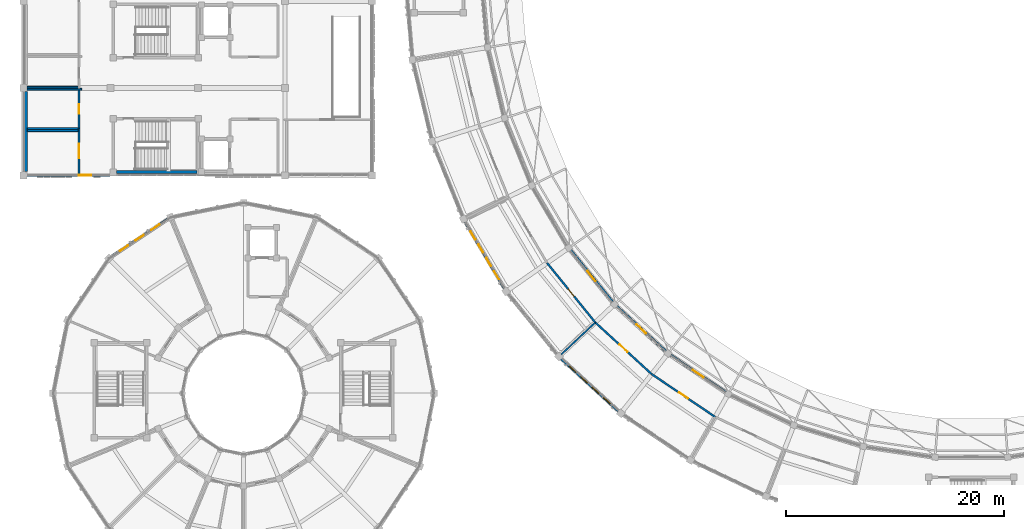
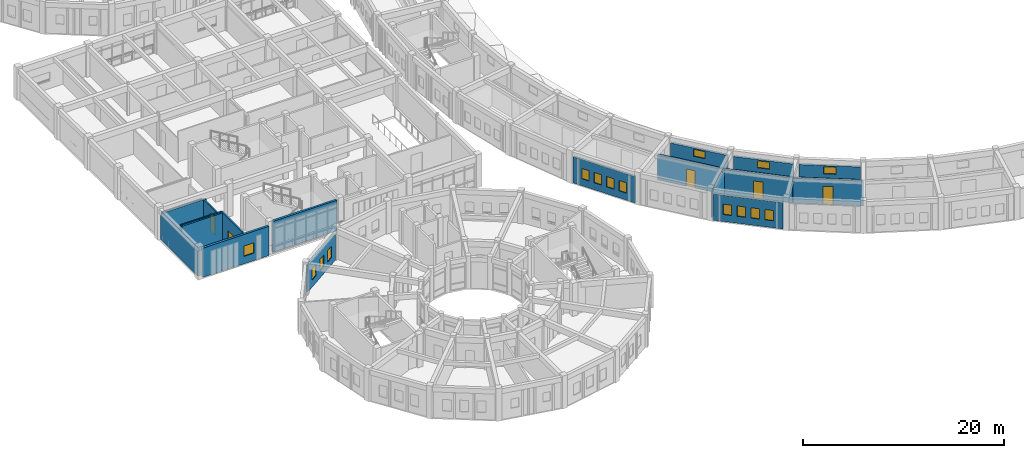
# One storey, part 76 of 112: 19 walls, 15 windows, 5 doors, 20 openings.
"""IFC4 building model written with IfcOpenShell, lengths in metres."""

from ifc_helpers import new_model, si_unit, direction, frame, frame_2d, origin, place, context, subcontext, project, spatial, rectangle, extrude, material, layer, layer_set, type_object, element, fill, save


model = new_model("IFC4")

# Units and contexts
model_context = context("Model", 3, precision=1e-05, world=origin(), true_north=direction((0.0, 1.0)))
body_context = subcontext(model_context, "Body", "Model", "MODEL_VIEW")
ifc_project = project(units=[si_unit("LENGTHUNIT", "METRE"), si_unit("AREAUNIT", "SQUARE_METRE"), si_unit("VOLUMEUNIT", "CUBIC_METRE"), si_unit("PLANEANGLEUNIT", "RADIAN"), si_unit("MASSUNIT", "GRAM", prefix="KILO")], contexts=[model_context])

# Site, building, storey
site_placement = place(None, origin())
site = spatial("IfcSite", under=ifc_project, at=site_placement, CompositionType="ELEMENT")
building_placement = place(site_placement, origin())
building = spatial("IfcBuilding", under=site, at=building_placement, Name="Celadon Cloister-Ring School", CompositionType="ELEMENT")
storey_placement = place(building_placement, frame((0.0, 0.0, 8.5)))
storey = spatial("IfcBuildingStorey", under=building, at=storey_placement, Name="L02", CompositionType="ELEMENT", Elevation=8.5)

# Wall, opening, window
ifc_material_1 = material(Name="Rendered concrete blockwork", Category="masonry")
ifc_layer_1 = layer(ifc_material_1, 0.260009765625)
ifc_layer_set_1 = layer_set([ifc_layer_1], Name="Rendered concrete blockwork")
wall_type_1 = type_object("IfcWallType", Name="WT-EX2", PredefinedType="SOLIDWALL", material=ifc_layer_set_1)
wall_1_placement = place(storey_placement, frame((7.947998046875, 40.0, 0.0), z_axis=(0.0, 0.0, 1.0), x_axis=(-1.0, 0.0, 0.0)))
wall_1 = element("IfcWall", 1, at=wall_1_placement, inside=storey, type_object=wall_type_1, Name="Exterior Wall 0523", PredefinedType="SOLIDWALL", context=body_context, shape_type="SweptSolid", body=[
    extrude(rectangle(XDim=7.62109375, YDim=0.260009765625, at=frame_2d((3.810546875, 0.0))), origin(), (0.0, 0.0, 1.0), 3.550048828125),
])
opening_1_placement = place(wall_1_placement, frame((1.7109375, 0.0, 0.89990234375)))
opening_1 = element("IfcOpeningElement", 2, at=opening_1_placement, cuts=wall_1, Name="Opening WN-13", PredefinedType="OPENING", context=body_context, shape_type="SweptSolid", body=[
    extrude(rectangle(XDim=1.14990234375, YDim=1.25, at=frame_2d((0.574951171875, 0.625))), frame((0.0, 0.14013671875, 0.0), z_axis=(0.0, -1.0, 0.0), x_axis=(1.0, 0.0, 0.0)), (0.0, 0.0, 1.0), 0.280029296875),
])
ifc_material_2 = material(Name="Tempered laminated insulating glass", Category="glass")
window_type_1 = type_object("IfcWindowType", Name="WN-13", PartitioningType="SINGLE_PANEL", PredefinedType="WINDOW", material=ifc_material_2)
window_1_placement = place(opening_1_placement, origin())
window_1 = element("IfcWindow", 3, at=window_1_placement, inside=storey, type_object=window_type_1, Name="Window 1005", OverallHeight=1.25, OverallWidth=1.14990234375, PartitioningType="SINGLE_PANEL", PredefinedType="WINDOW", context=body_context, shape_type="SweptSolid", body=[
    extrude(rectangle(XDim=1.14990234375, YDim=1.25, at=frame_2d((0.574951171875, 0.625))), frame((0.0, 0.030029296875, 0.0), z_axis=(0.0, -1.0, 0.0), x_axis=(1.0, 0.0, 0.0)), (0.0, 0.0, 1.0), 0.06005859375),
])
fill(opening_1, window_1)

ifc_material_3 = material(Name="Rendered concrete blockwork", Category="masonry")
ifc_layer_2 = layer(ifc_material_3, 0.239990234375)
ifc_layer_set_2 = layer_set([ifc_layer_2], Name="Rendered concrete blockwork")
wall_type_2 = type_object("IfcWallType", Name="WT-EX3", PredefinedType="SOLIDWALL", material=ifc_layer_set_2)
wall_2_placement = place(storey_placement, frame((50.218017578125, 33.110107421875, 0.0), z_axis=(0.0, 0.0, 1.0), x_axis=(0.629724854667, -0.776818258935, 0.0)))
wall_2 = element("IfcWall", 4, at=wall_2_placement, inside=storey, type_object=wall_type_2, Name="Exterior Wall 0125", PredefinedType="SOLIDWALL", context=body_context, shape_type="SweptSolid", body=[
    extrude(rectangle(XDim=6.093017578125, YDim=0.239990234375, at=frame_2d((3.04638671875, 0.0))), origin(), (0.0, 0.0, 1.0), 3.050048828125),
])
opening_2_placement = place(wall_2_placement, frame((2.446044921875, 0.0, 2.050048828125)))
opening_2 = element("IfcOpeningElement", 5, at=opening_2_placement, cuts=wall_2, Name="Opening WN-49", PredefinedType="OPENING", context=body_context, shape_type="SweptSolid", body=[
    extrude(rectangle(XDim=1.199951171875, YDim=0.85009765625, at=frame_2d((0.60009765625, 0.425048828125))), frame((0.0, 0.1298828125, 0.0), z_axis=(0.0, -1.0, 0.0), x_axis=(1.0, 0.0, 0.0)), (0.0, 0.0, 1.0), 0.260009765625),
])
ifc_material_4 = material(Name="Tempered laminated insulating glass", Category="glass")
window_type_2 = type_object("IfcWindowType", Name="WN-49", PartitioningType="SINGLE_PANEL", PredefinedType="WINDOW", material=ifc_material_4)
window_2_placement = place(opening_2_placement, origin())
window_2 = element("IfcWindow", 6, at=window_2_placement, inside=storey, type_object=window_type_2, Name="Window 0330", OverallHeight=0.85009765625, OverallWidth=1.199951171875, PartitioningType="SINGLE_PANEL", PredefinedType="WINDOW", context=body_context, shape_type="SweptSolid", body=[
    extrude(rectangle(XDim=1.199951171875, YDim=0.85009765625, at=frame_2d((0.60009765625, 0.425048828125))), frame((0.0, 0.030029296875, 0.0), z_axis=(0.0, -1.0, 0.0), x_axis=(1.0, 0.0, 0.0)), (0.0, 0.0, 1.0), 0.06005859375),
])
fill(opening_2, window_2)

wall_3_placement = place(storey_placement, frame((54.446044921875, 27.9599609375, 0.0), z_axis=(0.0, 0.0, 1.0), x_axis=(0.737667839015, -0.675163801816, 0.0)))
wall_3 = element("IfcWall", 7, at=wall_3_placement, inside=storey, type_object=wall_type_2, Name="Exterior Wall 0127", PredefinedType="SOLIDWALL", context=body_context, shape_type="SweptSolid", body=[
    extrude(rectangle(XDim=6.09326171875, YDim=0.239990234375, at=frame_2d((3.046630859375, 0.0))), origin(), (0.0, 0.0, 1.0), 3.050048828125),
])
opening_3_placement = place(wall_3_placement, frame((2.447021484375, 0.0, 2.050048828125)))
opening_3 = element("IfcOpeningElement", 8, at=opening_3_placement, cuts=wall_3, Name="Opening WN-49", PredefinedType="OPENING", context=body_context, shape_type="SweptSolid", body=[
    extrude(rectangle(XDim=1.199951171875, YDim=0.85009765625, at=frame_2d((0.60009765625, 0.425048828125))), frame((0.0, 0.1298828125, 0.0), z_axis=(0.0, -1.0, 0.0), x_axis=(1.0, 0.0, 0.0)), (0.0, 0.0, 1.0), 0.260009765625),
])
window_3_placement = place(opening_3_placement, origin())
window_3 = element("IfcWindow", 9, at=window_3_placement, inside=storey, type_object=window_type_2, Name="Window 0335", OverallHeight=0.85009765625, OverallWidth=1.199951171875, PartitioningType="SINGLE_PANEL", PredefinedType="WINDOW", context=body_context, shape_type="SweptSolid", body=[
    extrude(rectangle(XDim=1.199951171875, YDim=0.85009765625, at=frame_2d((0.60009765625, 0.425048828125))), frame((0.0, 0.030029296875, 0.0), z_axis=(0.0, -1.0, 0.0), x_axis=(1.0, 0.0, 0.0)), (0.0, 0.0, 1.0), 0.06005859375),
])
fill(opening_3, window_3)

wall_4_placement = place(storey_placement, frame((59.389892578125, 23.491943359375, 0.0), z_axis=(0.0, 0.0, 1.0), x_axis=(0.829160241858, -0.559010995707, 0.0)))
wall_4 = element("IfcWall", 10, at=wall_4_placement, inside=storey, type_object=wall_type_2, Name="Exterior Wall 0129", PredefinedType="SOLIDWALL", context=body_context, shape_type="SweptSolid", body=[
    extrude(rectangle(XDim=6.093017578125, YDim=0.239990234375, at=frame_2d((3.04638671875, 0.0))), origin(), (0.0, 0.0, 1.0), 3.050048828125),
])
opening_4_placement = place(wall_4_placement, frame((2.446044921875, 0.0, 2.050048828125)))
opening_4 = element("IfcOpeningElement", 11, at=opening_4_placement, cuts=wall_4, Name="Opening WN-49", PredefinedType="OPENING", context=body_context, shape_type="SweptSolid", body=[
    extrude(rectangle(XDim=1.199951171875, YDim=0.85009765625, at=frame_2d((0.60009765625, 0.425048828125))), frame((0.0, 0.1298828125, 0.0), z_axis=(0.0, -1.0, 0.0), x_axis=(1.0, 0.0, 0.0)), (0.0, 0.0, 1.0), 0.260009765625),
])
window_4_placement = place(opening_4_placement, origin())
window_4 = element("IfcWindow", 12, at=window_4_placement, inside=storey, type_object=window_type_2, Name="Window 0340", OverallHeight=0.85009765625, OverallWidth=1.199951171875, PartitioningType="SINGLE_PANEL", PredefinedType="WINDOW", context=body_context, shape_type="SweptSolid", body=[
    extrude(rectangle(XDim=1.199951171875, YDim=0.85009765625, at=frame_2d((0.60009765625, 0.425048828125))), frame((0.0, 0.030029296875, 0.0), z_axis=(0.0, -1.0, 0.0), x_axis=(1.0, 0.0, 0.0)), (0.0, 0.0, 1.0), 0.06005859375),
])
fill(opening_4, window_4)

# Wall, openings, windows
ifc_material_5 = material(Name="Perforated terracotta clay brick masonry", Category="masonry")
ifc_layer_3 = layer(ifc_material_5, 0.219970703125)
ifc_layer_set_3 = layer_set([ifc_layer_3], Name="Perforated terracotta clay brick masonry")
wall_type_3 = type_object("IfcWallType", Name="WT-EX4", PredefinedType="SOLIDWALL", material=ifc_layer_set_3)
wall_5_placement = place(storey_placement, frame((44.1298828125, 29.60888671875, 0.0), z_axis=(0.0, 0.0, 1.0), x_axis=(-0.507925334326, 0.861401099808, 0.0)))
wall_5 = element("IfcWall", 13, at=wall_5_placement, inside=storey, type_object=wall_type_3, Name="Exterior Wall 0122", PredefinedType="SOLIDWALL", context=body_context, shape_type="SweptSolid", body=[
    extrude(rectangle(XDim=7.08154296875, YDim=0.219970703125, at=frame_2d((3.540771484375, 0.0))), origin(), (0.0, 0.0, 1.0), 3.19189453125),
])
opening_5_placement = place(wall_5_placement, frame((0.990966796875, 0.0, 0.85009765625)))
opening_5 = element("IfcOpeningElement", 14, at=opening_5_placement, cuts=wall_5, Name="Opening WN-11", PredefinedType="OPENING", context=body_context, shape_type="SweptSolid", body=[
    extrude(rectangle(XDim=0.85009765625, YDim=1.25, at=frame_2d((0.425048828125, 0.625))), frame((0.0, 0.1201171875, 0.0), z_axis=(0.0, -1.0, 0.0), x_axis=(1.0, 0.0, 0.0)), (0.0, 0.0, 1.0), 0.239990234375),
])
opening_6_placement = place(wall_5_placement, frame((2.407958984375, 0.0, 0.85009765625)))
opening_6 = element("IfcOpeningElement", 15, at=opening_6_placement, cuts=wall_5, Name="Opening WN-11", PredefinedType="OPENING", context=body_context, shape_type="SweptSolid", body=[
    extrude(rectangle(XDim=0.85009765625, YDim=1.25, at=frame_2d((0.425048828125, 0.625))), frame((0.0, 0.1201171875, 0.0), z_axis=(0.0, -1.0, 0.0), x_axis=(1.0, 0.0, 0.0)), (0.0, 0.0, 1.0), 0.239990234375),
])
opening_7_placement = place(wall_5_placement, frame((3.823974609375, 0.0, 0.85009765625)))
opening_7 = element("IfcOpeningElement", 16, at=opening_7_placement, cuts=wall_5, Name="Opening WN-11", PredefinedType="OPENING", context=body_context, shape_type="SweptSolid", body=[
    extrude(rectangle(XDim=0.85009765625, YDim=1.25, at=frame_2d((0.425048828125, 0.625))), frame((0.0, 0.1201171875, 0.0), z_axis=(0.0, -1.0, 0.0), x_axis=(1.0, 0.0, 0.0)), (0.0, 0.0, 1.0), 0.239990234375),
])
opening_8_placement = place(wall_5_placement, frame((5.239990234375, 0.0, 0.85009765625)))
opening_8 = element("IfcOpeningElement", 17, at=opening_8_placement, cuts=wall_5, Name="Opening WN-11", PredefinedType="OPENING", context=body_context, shape_type="SweptSolid", body=[
    extrude(rectangle(XDim=0.85009765625, YDim=1.25, at=frame_2d((0.425048828125, 0.625))), frame((0.0, 0.1201171875, 0.0), z_axis=(0.0, -1.0, 0.0), x_axis=(1.0, 0.0, 0.0)), (0.0, 0.0, 1.0), 0.239990234375),
])
ifc_material_6 = material(Name="Tempered laminated insulating glass", Category="glass")
window_type_3 = type_object("IfcWindowType", Name="WN-11", PartitioningType="SINGLE_PANEL", PredefinedType="WINDOW", material=ifc_material_6)
window_5_placement = place(opening_5_placement, origin())
window_5 = element("IfcWindow", 18, at=window_5_placement, inside=storey, type_object=window_type_3, Name="Window 0321", OverallHeight=1.25, OverallWidth=0.85009765625, PartitioningType="SINGLE_PANEL", PredefinedType="WINDOW", context=body_context, shape_type="SweptSolid", body=[
    extrude(rectangle(XDim=0.85009765625, YDim=1.25, at=frame_2d((0.425048828125, 0.625))), frame((0.0, 0.030029296875, 0.0), z_axis=(0.0, -1.0, 0.0), x_axis=(1.0, 0.0, 0.0)), (0.0, 0.0, 1.0), 0.06005859375),
])
fill(opening_5, window_5)
window_6_placement = place(opening_6_placement, origin())
window_6 = element("IfcWindow", 19, at=window_6_placement, inside=storey, type_object=window_type_3, Name="Window 0322", OverallHeight=1.25, OverallWidth=0.85009765625, PartitioningType="SINGLE_PANEL", PredefinedType="WINDOW", context=body_context, shape_type="SweptSolid", body=[
    extrude(rectangle(XDim=0.85009765625, YDim=1.25, at=frame_2d((0.425048828125, 0.625))), frame((0.0, 0.030029296875, 0.0), z_axis=(0.0, -1.0, 0.0), x_axis=(1.0, 0.0, 0.0)), (0.0, 0.0, 1.0), 0.06005859375),
])
fill(opening_6, window_6)
window_7_placement = place(opening_7_placement, origin())
window_7 = element("IfcWindow", 20, at=window_7_placement, inside=storey, type_object=window_type_3, Name="Window 0323", OverallHeight=1.25, OverallWidth=0.85009765625, PartitioningType="SINGLE_PANEL", PredefinedType="WINDOW", context=body_context, shape_type="SweptSolid", body=[
    extrude(rectangle(XDim=0.85009765625, YDim=1.25, at=frame_2d((0.425048828125, 0.625))), frame((0.0, 0.030029296875, 0.0), z_axis=(0.0, -1.0, 0.0), x_axis=(1.0, 0.0, 0.0)), (0.0, 0.0, 1.0), 0.06005859375),
])
fill(opening_7, window_7)
window_8_placement = place(opening_8_placement, origin())
window_8 = element("IfcWindow", 21, at=window_8_placement, inside=storey, type_object=window_type_3, Name="Window 0324", OverallHeight=1.25, OverallWidth=0.85009765625, PartitioningType="SINGLE_PANEL", PredefinedType="WINDOW", context=body_context, shape_type="SweptSolid", body=[
    extrude(rectangle(XDim=0.85009765625, YDim=1.25, at=frame_2d((0.425048828125, 0.625))), frame((0.0, 0.030029296875, 0.0), z_axis=(0.0, -1.0, 0.0), x_axis=(1.0, 0.0, 0.0)), (0.0, 0.0, 1.0), 0.06005859375),
])
fill(opening_8, window_8)

wall_6_placement = place(storey_placement, frame((54.591064453125, 18.363037109375, 0.0), z_axis=(0.0, 0.0, 1.0), x_axis=(-0.737563208126, 0.675278101243, 0.0)))
wall_6 = element("IfcWall", 22, at=wall_6_placement, inside=storey, type_object=wall_type_3, Name="Exterior Wall 0126", PredefinedType="SOLIDWALL", context=body_context, shape_type="SweptSolid", body=[
    extrude(rectangle(XDim=7.0830078125, YDim=0.219970703125, at=frame_2d((3.54150390625, 0.0))), origin(), (0.0, 0.0, 1.0), 3.19189453125),
])
opening_9_placement = place(wall_6_placement, frame((0.991943359375, 0.0, 0.85009765625)))
opening_9 = element("IfcOpeningElement", 23, at=opening_9_placement, cuts=wall_6, Name="Opening WN-11", PredefinedType="OPENING", context=body_context, shape_type="SweptSolid", body=[
    extrude(rectangle(XDim=0.85009765625, YDim=1.25, at=frame_2d((0.425048828125, 0.625))), frame((0.0, 0.1201171875, 0.0), z_axis=(0.0, -1.0, 0.0), x_axis=(1.0, 0.0, 0.0)), (0.0, 0.0, 1.0), 0.239990234375),
])
opening_10_placement = place(wall_6_placement, frame((2.407958984375, 0.0, 0.85009765625)))
opening_10 = element("IfcOpeningElement", 24, at=opening_10_placement, cuts=wall_6, Name="Opening WN-11", PredefinedType="OPENING", context=body_context, shape_type="SweptSolid", body=[
    extrude(rectangle(XDim=0.85009765625, YDim=1.25, at=frame_2d((0.425048828125, 0.625))), frame((0.0, 0.1201171875, 0.0), z_axis=(0.0, -1.0, 0.0), x_axis=(1.0, 0.0, 0.0)), (0.0, 0.0, 1.0), 0.239990234375),
])
opening_11_placement = place(wall_6_placement, frame((3.824951171875, 0.0, 0.85009765625)))
opening_11 = element("IfcOpeningElement", 25, at=opening_11_placement, cuts=wall_6, Name="Opening WN-11", PredefinedType="OPENING", context=body_context, shape_type="SweptSolid", body=[
    extrude(rectangle(XDim=0.85009765625, YDim=1.25, at=frame_2d((0.425048828125, 0.625))), frame((0.0, 0.1201171875, 0.0), z_axis=(0.0, -1.0, 0.0), x_axis=(1.0, 0.0, 0.0)), (0.0, 0.0, 1.0), 0.239990234375),
])
opening_12_placement = place(wall_6_placement, frame((5.240966796875, 0.0, 0.85009765625)))
opening_12 = element("IfcOpeningElement", 26, at=opening_12_placement, cuts=wall_6, Name="Opening WN-11", PredefinedType="OPENING", context=body_context, shape_type="SweptSolid", body=[
    extrude(rectangle(XDim=0.85009765625, YDim=1.25, at=frame_2d((0.425048828125, 0.625))), frame((0.0, 0.1201171875, 0.0), z_axis=(0.0, -1.0, 0.0), x_axis=(1.0, 0.0, 0.0)), (0.0, 0.0, 1.0), 0.239990234375),
])
window_9_placement = place(opening_9_placement, origin())
window_9 = element("IfcWindow", 27, at=window_9_placement, inside=storey, type_object=window_type_3, Name="Window 0331", OverallHeight=1.25, OverallWidth=0.85009765625, PartitioningType="SINGLE_PANEL", PredefinedType="WINDOW", context=body_context, shape_type="SweptSolid", body=[
    extrude(rectangle(XDim=0.85009765625, YDim=1.25, at=frame_2d((0.425048828125, 0.625))), frame((0.0, 0.030029296875, 0.0), z_axis=(0.0, -1.0, 0.0), x_axis=(1.0, 0.0, 0.0)), (0.0, 0.0, 1.0), 0.06005859375),
])
fill(opening_9, window_9)
window_10_placement = place(opening_10_placement, origin())
window_10 = element("IfcWindow", 28, at=window_10_placement, inside=storey, type_object=window_type_3, Name="Window 0332", OverallHeight=1.25, OverallWidth=0.85009765625, PartitioningType="SINGLE_PANEL", PredefinedType="WINDOW", context=body_context, shape_type="SweptSolid", body=[
    extrude(rectangle(XDim=0.85009765625, YDim=1.25, at=frame_2d((0.425048828125, 0.625))), frame((0.0, 0.030029296875, 0.0), z_axis=(0.0, -1.0, 0.0), x_axis=(1.0, 0.0, 0.0)), (0.0, 0.0, 1.0), 0.06005859375),
])
fill(opening_10, window_10)
window_11_placement = place(opening_11_placement, origin())
window_11 = element("IfcWindow", 29, at=window_11_placement, inside=storey, type_object=window_type_3, Name="Window 0333", OverallHeight=1.25, OverallWidth=0.85009765625, PartitioningType="SINGLE_PANEL", PredefinedType="WINDOW", context=body_context, shape_type="SweptSolid", body=[
    extrude(rectangle(XDim=0.85009765625, YDim=1.25, at=frame_2d((0.425048828125, 0.625))), frame((0.0, 0.030029296875, 0.0), z_axis=(0.0, -1.0, 0.0), x_axis=(1.0, 0.0, 0.0)), (0.0, 0.0, 1.0), 0.06005859375),
])
fill(opening_11, window_11)
window_12_placement = place(opening_12_placement, origin())
window_12 = element("IfcWindow", 30, at=window_12_placement, inside=storey, type_object=window_type_3, Name="Window 0334", OverallHeight=1.25, OverallWidth=0.85009765625, PartitioningType="SINGLE_PANEL", PredefinedType="WINDOW", context=body_context, shape_type="SweptSolid", body=[
    extrude(rectangle(XDim=0.85009765625, YDim=1.25, at=frame_2d((0.425048828125, 0.625))), frame((0.0, 0.030029296875, 0.0), z_axis=(0.0, -1.0, 0.0), x_axis=(1.0, 0.0, 0.0)), (0.0, 0.0, 1.0), 0.06005859375),
])
fill(opening_12, window_12)

wall_7_placement = place(storey_placement, frame((8.10009765625, 32.556884765625, 0.0), z_axis=(0.0, 0.0, 1.0), x_axis=(0.831379966495, 0.555704374025, 0.0)))
wall_7 = element("IfcWall", 31, at=wall_7_placement, inside=storey, type_object=wall_type_3, Name="Exterior Wall 0337", PredefinedType="SOLIDWALL", context=body_context, shape_type="SweptSolid", body=[
    extrude(rectangle(XDim=6.169189453125, YDim=0.219970703125, at=frame_2d((3.08447265625, 0.0))), origin(), (0.0, 0.0, 1.0), 3.172119140625),
])
opening_13_placement = place(wall_7_placement, frame((0.906982421875, 0.0, 0.85009765625)))
opening_13 = element("IfcOpeningElement", 32, at=opening_13_placement, cuts=wall_7, Name="Opening WN-21", PredefinedType="OPENING", context=body_context, shape_type="SweptSolid", body=[
    extrude(rectangle(XDim=0.89990234375, YDim=1.39990234375, at=frame_2d((0.449951171875, 0.699951171875))), frame((0.0, 0.1201171875, 0.0), z_axis=(0.0, -1.0, 0.0), x_axis=(1.0, 0.0, 0.0)), (0.0, 0.0, 1.0), 0.239990234375),
])
opening_14_placement = place(wall_7_placement, frame((2.635009765625, 0.0, 0.85009765625)))
opening_14 = element("IfcOpeningElement", 33, at=opening_14_placement, cuts=wall_7, Name="Opening WN-21", PredefinedType="OPENING", context=body_context, shape_type="SweptSolid", body=[
    extrude(rectangle(XDim=0.89990234375, YDim=1.39990234375, at=frame_2d((0.449951171875, 0.699951171875))), frame((0.0, 0.1201171875, 0.0), z_axis=(0.0, -1.0, 0.0), x_axis=(1.0, 0.0, 0.0)), (0.0, 0.0, 1.0), 0.239990234375),
])
opening_15_placement = place(wall_7_placement, frame((4.362060546875, 0.0, 0.85009765625)))
opening_15 = element("IfcOpeningElement", 34, at=opening_15_placement, cuts=wall_7, Name="Opening WN-21", PredefinedType="OPENING", context=body_context, shape_type="SweptSolid", body=[
    extrude(rectangle(XDim=0.89990234375, YDim=1.39990234375, at=frame_2d((0.449951171875, 0.699951171875))), frame((0.0, 0.1201171875, 0.0), z_axis=(0.0, -1.0, 0.0), x_axis=(1.0, 0.0, 0.0)), (0.0, 0.0, 1.0), 0.239990234375),
])
ifc_material_7 = material(Name="Tempered laminated insulating glass", Category="glass")
window_type_4 = type_object("IfcWindowType", Name="WN-21", PartitioningType="SINGLE_PANEL", PredefinedType="WINDOW", material=ifc_material_7)
window_13_placement = place(opening_13_placement, origin())
window_13 = element("IfcWindow", 35, at=window_13_placement, inside=storey, type_object=window_type_4, Name="Window 0866", OverallHeight=1.39990234375, OverallWidth=0.89990234375, PartitioningType="SINGLE_PANEL", PredefinedType="WINDOW", context=body_context, shape_type="SweptSolid", body=[
    extrude(rectangle(XDim=0.89990234375, YDim=1.39990234375, at=frame_2d((0.449951171875, 0.699951171875))), frame((0.0, 0.030029296875, 0.0), z_axis=(0.0, -1.0, 0.0), x_axis=(1.0, 0.0, 0.0)), (0.0, 0.0, 1.0), 0.06005859375),
])
fill(opening_13, window_13)
window_14_placement = place(opening_14_placement, origin())
window_14 = element("IfcWindow", 36, at=window_14_placement, inside=storey, type_object=window_type_4, Name="Window 0867", OverallHeight=1.39990234375, OverallWidth=0.89990234375, PartitioningType="SINGLE_PANEL", PredefinedType="WINDOW", context=body_context, shape_type="SweptSolid", body=[
    extrude(rectangle(XDim=0.89990234375, YDim=1.39990234375, at=frame_2d((0.449951171875, 0.699951171875))), frame((0.0, 0.030029296875, 0.0), z_axis=(0.0, -1.0, 0.0), x_axis=(1.0, 0.0, 0.0)), (0.0, 0.0, 1.0), 0.06005859375),
])
fill(opening_14, window_14)
window_15_placement = place(opening_15_placement, origin())
window_15 = element("IfcWindow", 37, at=window_15_placement, inside=storey, type_object=window_type_4, Name="Window 0868", OverallHeight=1.39990234375, OverallWidth=0.89990234375, PartitioningType="SINGLE_PANEL", PredefinedType="WINDOW", context=body_context, shape_type="SweptSolid", body=[
    extrude(rectangle(XDim=0.89990234375, YDim=1.39990234375, at=frame_2d((0.449951171875, 0.699951171875))), frame((0.0, 0.030029296875, 0.0), z_axis=(0.0, -1.0, 0.0), x_axis=(1.0, 0.0, 0.0)), (0.0, 0.0, 1.0), 0.06005859375),
])
fill(opening_15, window_15)

# Wall
ifc_material_8 = material(Name="Concrete C40/50", Category="concrete")
ifc_layer_4 = layer(ifc_material_8, 0.35009765625)
ifc_layer_set_4 = layer_set([ifc_layer_4], Name="Concrete C40/50")
wall_type_4 = type_object("IfcWallType", Name="WT-FW2", PredefinedType="SHEAR", material=ifc_layer_set_4)
wall_8_placement = place(storey_placement, frame((0.175048828125, 40.326904296875, 0.0), z_axis=(0.0, 0.0, 1.0), x_axis=(0.0, 1.0, 0.0)))
element("IfcWall", 38, at=wall_8_placement, inside=storey, type_object=wall_type_4, Name="Exterior Wall 0524", PredefinedType="SHEAR", context=body_context, shape_type="SweptSolid", body=[
    extrude(rectangle(XDim=7.34619140625, YDim=0.35009765625, at=frame_2d((3.673095703125, 0.0))), origin(), (0.0, 0.0, 1.0), 3.001953125),
])

# Wall, opening, door
ifc_material_9 = material(Name="Plastered hollow concrete masonry", Category="masonry")
ifc_layer_5 = layer(ifc_material_9, 0.179931640625)
ifc_layer_set_5 = layer_set([ifc_layer_5], Name="Plastered hollow concrete masonry")
wall_type_5 = type_object("IfcWallType", Name="WT-PT2", PredefinedType="PARTITIONING", material=ifc_layer_set_5)
wall_9_placement = place(storey_placement, frame((48.050048828125, 31.952880859375, 0.0), z_axis=(0.0, 0.0, 1.0), x_axis=(0.629599050971, -0.776920224358, 0.0)))
wall_9 = element("IfcWall", 39, at=wall_9_placement, inside=storey, type_object=wall_type_5, Name="Interior Wall 0571", PredefinedType="PARTITIONING", context=body_context, shape_type="SweptSolid", body=[
    extrude(rectangle(XDim=7.02490234375, YDim=0.179931640625, at=frame_2d((3.512451171875, 0.0))), origin(), (0.0, 0.0, 1.0), 3.092041015625),
])
opening_16_placement = place(wall_9_placement, frame((3.072998046875, 0.0, 0.0)))
opening_16 = element("IfcOpeningElement", 40, at=opening_16_placement, cuts=wall_9, Name="Opening D-0186", PredefinedType="OPENING", context=body_context, shape_type="SweptSolid", body=[
    extrude(rectangle(XDim=0.8798828125, YDim=2.10009765625, at=frame_2d((0.43994140625, 1.050048828125))), frame((0.0, 0.10009765625, 0.0), z_axis=(0.0, -1.0, 0.0), x_axis=(1.0, 0.0, 0.0)), (0.0, 0.0, 1.0), 0.199951171875),
])
ifc_material_10 = material(Name="Solid-core fire-rated hardwood leaf", Category="wood")
door_type_1 = type_object("IfcDoorType", Name="DT-01", OperationType="NOTDEFINED", PredefinedType="DOOR", material=ifc_material_10)
door_1_placement = place(opening_16_placement, origin())
door_1 = element("IfcDoor", 41, at=door_1_placement, inside=storey, type_object=door_type_1, Name="Door D-0186", OperationType="SINGLE_SWING_RIGHT", OverallHeight=2.10009765625, OverallWidth=0.8798828125, PredefinedType="DOOR", context=body_context, shape_type="SweptSolid", body=[
    extrude(rectangle(XDim=0.8798828125, YDim=2.10009765625, at=frame_2d((0.43994140625, 1.050048828125))), frame((0.0, 0.02490234375, 0.0), z_axis=(0.0, -1.0, 0.0), x_axis=(1.0, 0.0, 0.0)), (0.0, 0.0, 1.0), 0.050048828125),
])
fill(opening_16, door_1)

wall_10_placement = place(storey_placement, frame((52.472900390625, 26.4951171875, 0.0), z_axis=(0.0, 0.0, 1.0), x_axis=(0.737526212357, -0.67531850714, 0.0)))
wall_10 = element("IfcWall", 42, at=wall_10_placement, inside=storey, type_object=wall_type_5, Name="Interior Wall 0572", PredefinedType="PARTITIONING", context=body_context, shape_type="SweptSolid", body=[
    extrude(rectangle(XDim=7.025146484375, YDim=0.179931640625, at=frame_2d((3.5126953125, 0.0))), origin(), (0.0, 0.0, 1.0), 3.092041015625),
])
opening_17_placement = place(wall_10_placement, frame((3.011962890625, 0.0, 0.0)))
opening_17 = element("IfcOpeningElement", 43, at=opening_17_placement, cuts=wall_10, Name="Opening D-0187", PredefinedType="OPENING", context=body_context, shape_type="SweptSolid", body=[
    extrude(rectangle(XDim=1.0, YDim=2.10009765625, at=frame_2d((0.5, 1.050048828125))), frame((0.0, 0.10009765625, 0.0), z_axis=(0.0, -1.0, 0.0), x_axis=(1.0, 0.0, 0.0)), (0.0, 0.0, 1.0), 0.199951171875),
])
ifc_material_11 = material(Name="Solid-core fire-rated hardwood leaf", Category="wood")
door_type_2 = type_object("IfcDoorType", Name="DT-04", OperationType="NOTDEFINED", PredefinedType="DOOR", material=ifc_material_11)
door_2_placement = place(opening_17_placement, origin())
door_2 = element("IfcDoor", 44, at=door_2_placement, inside=storey, type_object=door_type_2, Name="Door D-0187", OperationType="SINGLE_SWING_LEFT", OverallHeight=2.10009765625, OverallWidth=1.0, PredefinedType="DOOR", context=body_context, shape_type="SweptSolid", body=[
    extrude(rectangle(XDim=1.0, YDim=2.10009765625, at=frame_2d((0.5, 1.050048828125))), frame((0.0, 0.02490234375, 0.0), z_axis=(0.0, -1.0, 0.0), x_axis=(1.0, 0.0, 0.0)), (0.0, 0.0, 1.0), 0.050048828125),
])
fill(opening_17, door_2)

wall_11_placement = place(storey_placement, frame((57.654052734375, 21.7509765625, 0.0), z_axis=(0.0, 0.0, 1.0), x_axis=(0.829168029301, -0.558999444709, 0.0)))
wall_11 = element("IfcWall", 45, at=wall_11_placement, inside=storey, type_object=wall_type_5, Name="Interior Wall 0573", PredefinedType="PARTITIONING", context=body_context, shape_type="SweptSolid", body=[
    extrude(rectangle(XDim=7.025146484375, YDim=0.179931640625, at=frame_2d((3.5126953125, 0.0))), origin(), (0.0, 0.0, 1.0), 3.092041015625),
])
opening_18_placement = place(wall_11_placement, frame((3.02294921875, 0.0, 0.0)))
opening_18 = element("IfcOpeningElement", 46, at=opening_18_placement, cuts=wall_11, Name="Opening D-0188", PredefinedType="OPENING", context=body_context, shape_type="SweptSolid", body=[
    extrude(rectangle(XDim=0.97998046875, YDim=2.199951171875, at=frame_2d((0.489990234375, 1.10009765625))), frame((0.0, 0.10009765625, 0.0), z_axis=(0.0, -1.0, 0.0), x_axis=(1.0, 0.0, 0.0)), (0.0, 0.0, 1.0), 0.199951171875),
])
ifc_material_12 = material(Name="Solid-core fire-rated hardwood leaf", Category="wood")
door_type_3 = type_object("IfcDoorType", Name="DT-07", OperationType="NOTDEFINED", PredefinedType="DOOR", material=ifc_material_12)
door_3_placement = place(opening_18_placement, origin())
door_3 = element("IfcDoor", 47, at=door_3_placement, inside=storey, type_object=door_type_3, Name="Door D-0188", OperationType="SINGLE_SWING_RIGHT", OverallHeight=2.199951171875, OverallWidth=0.97998046875, PredefinedType="DOOR", context=body_context, shape_type="SweptSolid", body=[
    extrude(rectangle(XDim=0.97998046875, YDim=2.199951171875, at=frame_2d((0.489990234375, 1.10009765625))), frame((0.0, 0.02490234375, 0.0), z_axis=(0.0, -1.0, 0.0), x_axis=(1.0, 0.0, 0.0)), (0.0, 0.0, 1.0), 0.050048828125),
])
fill(opening_18, door_3)

wall_12_placement = place(storey_placement, frame((5.10009765625, 44.340087890625, 0.0), z_axis=(0.0, 0.0, 1.0), x_axis=(0.0, -1.0, 0.0)))
wall_12 = element("IfcWall", 48, at=wall_12_placement, inside=storey, type_object=wall_type_5, Name="Interior Wall 1052", PredefinedType="PARTITIONING", context=body_context, shape_type="SweptSolid", body=[
    extrude(rectangle(XDim=4.20703125, YDim=0.179931640625, at=frame_2d((2.103515625, 0.0))), origin(), (0.0, 0.0, 1.0), 3.699951171875),
])
opening_19_placement = place(wall_12_placement, frame((1.428955078125, 0.0, 0.0)))
opening_19 = element("IfcOpeningElement", 49, at=opening_19_placement, cuts=wall_12, Name="Opening D-0375", PredefinedType="OPENING", context=body_context, shape_type="SweptSolid", body=[
    extrude(rectangle(XDim=1.35009765625, YDim=2.199951171875, at=frame_2d((0.675048828125, 1.10009765625))), frame((0.0, 0.10009765625, 0.0), z_axis=(0.0, -1.0, 0.0), x_axis=(1.0, 0.0, 0.0)), (0.0, 0.0, 1.0), 0.199951171875),
])
ifc_material_13 = material(Name="Galvanised fire-rated hollow steel leaf", Category="steel")
door_type_4 = type_object("IfcDoorType", Name="DT-11", OperationType="NOTDEFINED", PredefinedType="DOOR", material=ifc_material_13)
door_4_placement = place(opening_19_placement, origin())
door_4 = element("IfcDoor", 50, at=door_4_placement, inside=storey, type_object=door_type_4, Name="Door D-0375", OperationType="SINGLE_SWING_LEFT", OverallHeight=2.199951171875, OverallWidth=1.35009765625, PredefinedType="DOOR", context=body_context, shape_type="SweptSolid", body=[
    extrude(rectangle(XDim=1.35009765625, YDim=2.199951171875, at=frame_2d((0.675048828125, 1.10009765625))), frame((0.0, 0.02490234375, 0.0), z_axis=(0.0, -1.0, 0.0), x_axis=(1.0, 0.0, 0.0)), (0.0, 0.0, 1.0), 0.050048828125),
])
fill(opening_19, door_4)

# Walls
wall_13_placement = place(storey_placement, frame((0.35302734375, 44.10009765625, 0.0), z_axis=(0.0, 0.0, 1.0), x_axis=(1.0, 0.0, 0.0)))
element("IfcWall", 51, at=wall_13_placement, inside=storey, type_object=wall_type_5, Name="Interior Wall 1053", PredefinedType="PARTITIONING", context=body_context, shape_type="SweptSolid", body=[
    extrude(rectangle(XDim=4.654052734375, YDim=0.179931640625, at=frame_2d((2.3271484375, 0.0))), origin(), (0.0, 0.0, 1.0), 3.699951171875),
])
ifc_material_14 = material(Name="Plastered hollow concrete masonry", Category="masonry")
ifc_layer_6 = layer(ifc_material_14, 0.159912109375)
ifc_layer_set_6 = layer_set([ifc_layer_6], Name="Plastered hollow concrete masonry")
wall_type_6 = type_object("IfcWallType", Name="WT-PT3", PredefinedType="PARTITIONING", material=ifc_layer_set_6)
wall_14_placement = place(storey_placement, frame((0.31689453125, 47.89990234375, 0.0), z_axis=(0.0, 0.0, 1.0), x_axis=(1.0, 0.0, 0.0)))
element("IfcWall", 52, at=wall_14_placement, inside=storey, type_object=wall_type_6, Name="Interior Wall 1054", PredefinedType="PARTITIONING", context=body_context, shape_type="SweptSolid", body=[
    extrude(rectangle(XDim=5.023193359375, YDim=0.159912109375, at=frame_2d((2.51171875, 0.0))), origin(), (0.0, 0.0, 1.0), 3.001953125),
])

# Wall, opening, door
wall_15_placement = place(storey_placement, frame((5.10009765625, 47.81689453125, 0.0), z_axis=(0.0, 0.0, 1.0), x_axis=(0.0, -1.0, 0.0)))
wall_15 = element("IfcWall", 53, at=wall_15_placement, inside=storey, type_object=wall_type_6, Name="Interior Wall 1055", PredefinedType="PARTITIONING", context=body_context, shape_type="SweptSolid", body=[
    extrude(rectangle(XDim=3.476806640625, YDim=0.159912109375, at=frame_2d((1.73828125, 0.0))), origin(), (0.0, 0.0, 1.0), 3.001953125),
])
opening_20_placement = place(wall_15_placement, frame((1.298095703125, 0.0, 0.0)))
opening_20 = element("IfcOpeningElement", 54, at=opening_20_placement, cuts=wall_15, Name="Opening D-0376", PredefinedType="OPENING", context=body_context, shape_type="SweptSolid", body=[
    extrude(rectangle(XDim=0.8798828125, YDim=2.10009765625, at=frame_2d((0.43994140625, 1.050048828125))), frame((0.0, 0.08984375, 0.0), z_axis=(0.0, -1.0, 0.0), x_axis=(1.0, 0.0, 0.0)), (0.0, 0.0, 1.0), 0.179931640625),
])
door_5_placement = place(opening_20_placement, origin())
door_5 = element("IfcDoor", 55, at=door_5_placement, inside=storey, type_object=door_type_1, Name="Door D-0376", OperationType="SINGLE_SWING_RIGHT", OverallHeight=2.10009765625, OverallWidth=0.8798828125, PredefinedType="DOOR", context=body_context, shape_type="SweptSolid", body=[
    extrude(rectangle(XDim=0.8798828125, YDim=2.10009765625, at=frame_2d((0.43994140625, 1.050048828125))), frame((0.0, 0.02490234375, 0.0), z_axis=(0.0, -1.0, 0.0), x_axis=(1.0, 0.0, 0.0)), (0.0, 0.0, 1.0), 0.050048828125),
])
fill(opening_20, door_5)

# Walls
wall_16_placement = place(storey_placement, frame((5.007080078125, 44.300048828125, 0.0), z_axis=(0.0, 0.0, 1.0), x_axis=(-1.0, 0.0, 0.0)))
element("IfcWall", 56, at=wall_16_placement, inside=storey, type_object=wall_type_6, Name="Interior Wall 1056", PredefinedType="PARTITIONING", context=body_context, shape_type="SweptSolid", body=[
    extrude(rectangle(XDim=4.654052734375, YDim=0.159912109375, at=frame_2d((2.3271484375, 0.0))), origin(), (0.0, 0.0, 1.0), 3.699951171875),
])
ifc_material_15 = material(Name="Acoustic mineral-wool drywall partition")
ifc_layer_7 = layer(ifc_material_15, 0.139892578125)
ifc_layer_set_7 = layer_set([ifc_layer_7], Name="Acoustic mineral-wool drywall partition")
wall_type_7 = type_object("IfcWallType", Name="WT-PT4", PredefinedType="PARTITIONING", material=ifc_layer_set_7)
wall_17_placement = place(storey_placement, frame((52.472900390625, 26.4951171875, 0.0), z_axis=(0.0, 0.0, 1.0), x_axis=(-0.728081297538, -0.68549079073, 0.0)))
element("IfcWall", 57, at=wall_17_placement, inside=storey, type_object=wall_type_7, Name="Interior Wall 0543", PredefinedType="PARTITIONING", context=body_context, shape_type="SweptSolid", body=[
    extrude(rectangle(XDim=4.287841796875, YDim=0.139892578125, at=frame_2d((2.14404296875, 0.0))), origin(), (0.0, 0.0, 1.0), 3.092041015625),
])
wall_18_placement = place(storey_placement, frame((5.027099609375, 48.10009765625, 0.0), z_axis=(0.0, 0.0, 1.0), x_axis=(-1.0, 0.0, 0.0)))
element("IfcWall", 58, at=wall_18_placement, inside=storey, type_object=wall_type_7, Name="Interior Wall 1059", PredefinedType="PARTITIONING", context=body_context, shape_type="SweptSolid", body=[
    extrude(rectangle(XDim=4.710205078125, YDim=0.139892578125, at=frame_2d((2.35498046875, 0.0))), origin(), (0.0, 0.0, 1.0), 3.001953125),
])
ifc_material_16 = material(Name="Concrete C40/50", Category="concrete")
ifc_layer_8 = layer(ifc_material_16, 0.239990234375)
ifc_layer_set_8 = layer_set([ifc_layer_8], Name="Concrete C40/50")
wall_type_8 = type_object("IfcWallType", Name="WT-SH1", PredefinedType="SHEAR", material=ifc_layer_set_8)
wall_19_placement = place(storey_placement, frame((15.927001953125, 40.300048828125, 0.0), z_axis=(0.0, 0.0, 1.0), x_axis=(-1.0, 0.0, 0.0)))
element("IfcWall", 59, at=wall_19_placement, inside=storey, type_object=wall_type_8, Name="Interior Wall 0011", PredefinedType="SHEAR", context=body_context, shape_type="SweptSolid", body=[
    extrude(rectangle(XDim=7.385009765625, YDim=0.239990234375, at=frame_2d((3.6923828125, 0.0))), origin(), (0.0, 0.0, 1.0), 3.739990234375),
])

save(model, "model.ifc")
